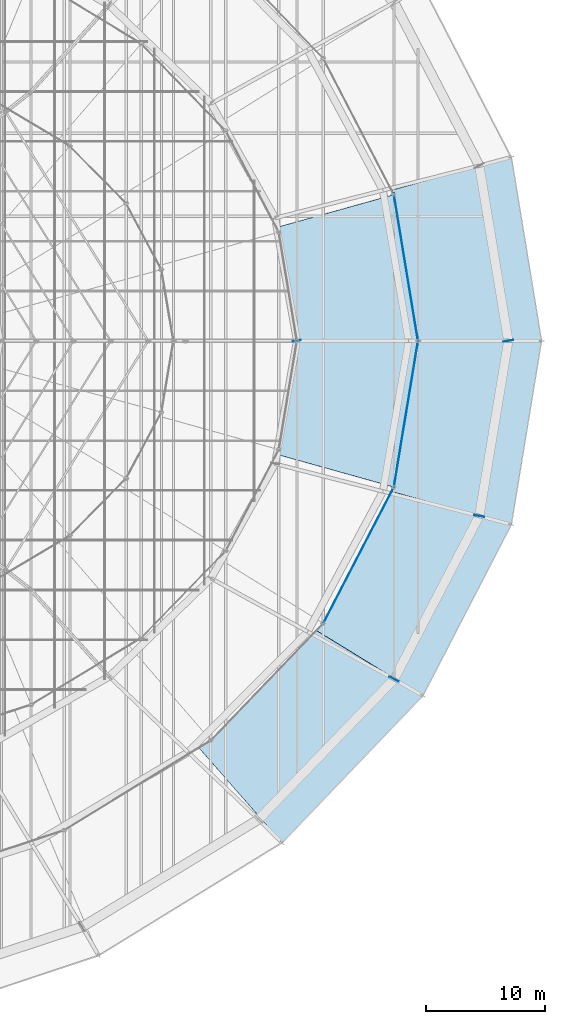
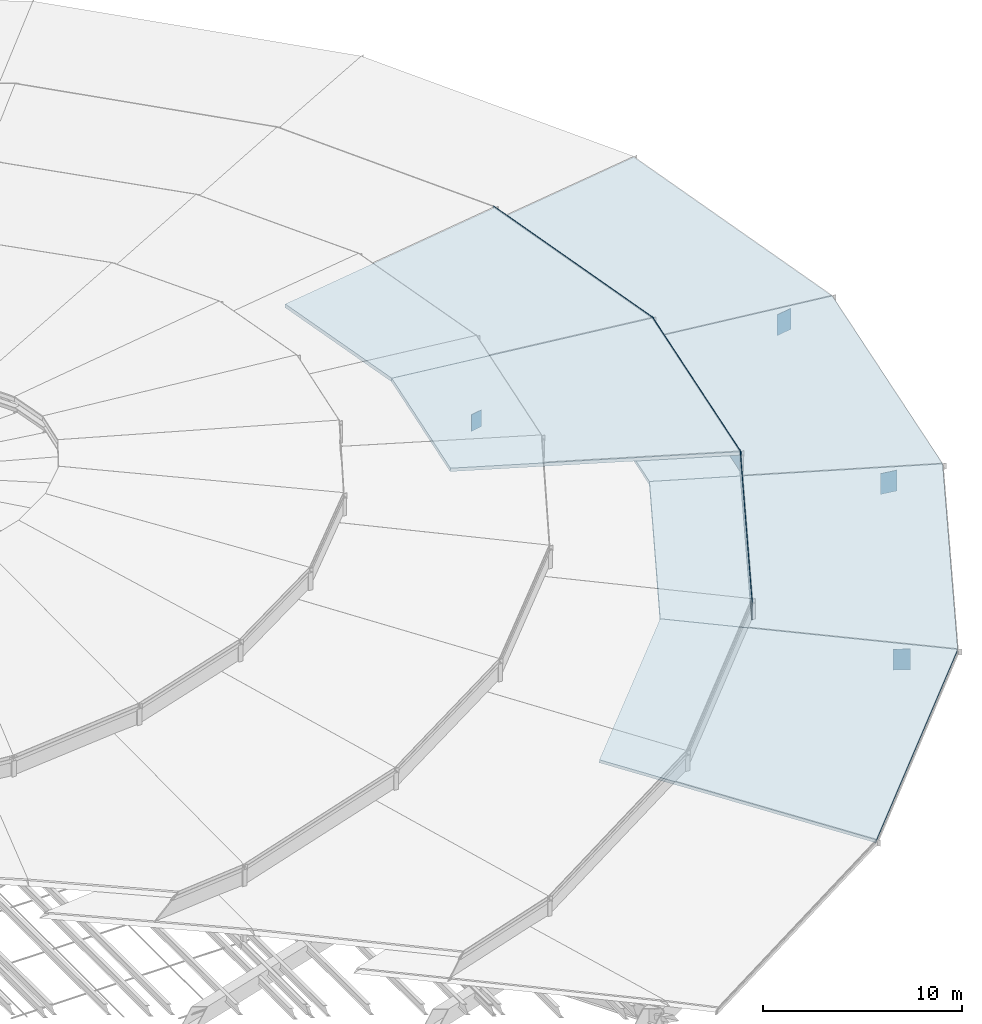
# One storey, part 156 of 184: 7 plates, 6 slabs.
"""IFC4 building model written with IfcOpenShell, lengths in metres."""

from ifc_helpers import new_model, si_unit, direction, frame, origin, origin_2d, place, context, subcontext, project, spatial, polyline, rectangle, outline, extrude, material, layer, layer_set, type_object, element, save


model = new_model("IFC4")

# Units and contexts
model_context = context("Model", 3, precision=1e-05, world=origin(), true_north=direction((0.0, 1.0)))
body_context = subcontext(model_context, "Body", "Model", "MODEL_VIEW")
ifc_project = project(units=[si_unit("LENGTHUNIT", "METRE"), si_unit("AREAUNIT", "SQUARE_METRE"), si_unit("VOLUMEUNIT", "CUBIC_METRE"), si_unit("PLANEANGLEUNIT", "RADIAN"), si_unit("MASSUNIT", "GRAM", prefix="KILO")], contexts=[model_context])

# Site, building, storey
site_placement = place(None, origin())
site = spatial("IfcSite", under=ifc_project, at=site_placement, CompositionType="ELEMENT")
building_placement = place(site_placement, origin())
building = spatial("IfcBuilding", under=site, at=building_placement, Name="Kalgoora Escarpment Arena", CompositionType="ELEMENT")
storey_placement = place(building_placement, frame((0.0, 0.0, 27.60009765625)))
storey = spatial("IfcBuildingStorey", under=building, at=storey_placement, Name="Roof Level", CompositionType="ELEMENT", Elevation=27.60009765625)

# Plates
ifc_material_1 = material(Name="Low-E double-glazed petal clerestory glass", Category="glass")
ifc_layer_1 = layer(ifc_material_1, 0.035888671875)
ifc_layer_set_1 = layer_set([ifc_layer_1], Name="PLT-PETAL-CLERESTORY")
plate_type_1 = type_object("IfcPlateType", Name="PLT-PETAL-CLERESTORY", PredefinedType="USERDEFINED", material=ifc_layer_set_1)
plate_1_placement = place(storey_placement, frame((155.584716796875, 70.159912109375, 0.260009765625), z_axis=(0.0, 0.0, 1.0), x_axis=(-0.162637165195, 0.986685944208, 0.0)))
element("IfcPlate", 1, at=plate_1_placement, inside=storey, type_object=plate_type_1, Name="Petal RP2 glazed clerestory collar panel S01", ObjectType="CLERESTORY PANEL", PredefinedType="USERDEFINED", context=body_context, shape_type="SweptSolid", body=[
    extrude(rectangle(XDim=12.67333984375, YDim=0.0400390625, at=origin_2d()), origin(), (0.0, 0.0, 1.0), 1.25),
])
plate_2_placement = place(storey_placement, frame((151.59228515625, 45.940185546875, 0.260009765625), z_axis=(0.0, 0.0, 1.0), x_axis=(0.46035473079, 0.8877350516, 0.0)))
element("IfcPlate", 2, at=plate_2_placement, inside=storey, type_object=plate_type_1, Name="Petal RP2 glazed clerestory collar panel S23", ObjectType="CLERESTORY PANEL", PredefinedType="USERDEFINED", context=body_context, shape_type="SweptSolid", body=[
    extrude(rectangle(XDim=13.12646484375, YDim=0.0400390625, at=origin_2d()), origin(), (0.0, 0.0, 1.0), 1.25),
])
plate_3_placement = place(storey_placement, frame((155.584716796875, 57.840087890625, 0.260009765625), z_axis=(0.0, 0.0, 1.0), x_axis=(0.162637165195, 0.986685944208, 0.0)))
element("IfcPlate", 3, at=plate_3_placement, inside=storey, type_object=plate_type_1, Name="Petal RP2 glazed clerestory collar panel S24", ObjectType="CLERESTORY PANEL", PredefinedType="USERDEFINED", context=body_context, shape_type="SweptSolid", body=[
    extrude(rectangle(XDim=12.67333984375, YDim=0.0400390625, at=origin_2d()), origin(), (0.0, 0.0, 1.0), 1.25),
])
ifc_material_2 = material(Name="Structural steel Grade 350 (350 MPa)", Category="steel")
ifc_layer_2 = layer(ifc_material_2, 0.031982421875)
ifc_layer_set_2 = layer_set([ifc_layer_2], Name="PLT-RING-DIAPH")
plate_type_2 = type_object("IfcPlateType", Name="PLT-RING-DIAPH", PredefinedType="USERDEFINED", material=ifc_layer_set_2)
plate_4_placement = place(storey_placement, frame((164.199951171875, 64.0, -2.09033203125), z_axis=(0.0, 0.0, 1.0), x_axis=(-0.163670330935, 0.986515089987, 0.0)))
element("IfcPlate", 4, at=plate_4_placement, inside=storey, type_object=plate_type_2, Name="Compression ring node diaphragm plate 01", ObjectType="FLANGE PLATE", PredefinedType="USERDEFINED", context=body_context, shape_type="SweptSolid", body=[
    extrude(rectangle(XDim=0.031982421875, YDim=0.8798828125, at=origin_2d()), origin(), (0.0, 0.0, 1.0), 1.280029296875),
])
plate_5_placement = place(storey_placement, frame((146.39990234375, 64.0, -1.760009765625), z_axis=(0.0, 0.0, 1.0), x_axis=(-0.175023058975, 0.984564334529, 0.0)))
element("IfcPlate", 5, at=plate_5_placement, inside=storey, type_object=plate_type_2, Name="Inner ring node diaphragm plate 01", ObjectType="FLANGE PLATE", PredefinedType="USERDEFINED", context=body_context, shape_type="SweptSolid", body=[
    extrude(rectangle(XDim=0.031982421875, YDim=0.679931640625, at=origin_2d()), origin(), (0.0, 0.0, 1.0), 1.02001953125),
])
for number, where, z_axis, x_axis, name in (
    (6, (154.58056640625, 35.5, -2.09033203125), (0.0, 0.0, 1.0), (0.462522500293, 0.8866075438, 0.0), "Compression ring node diaphragm plate 23"),
    (7, (161.75341796875, 49.247314453125, -2.09033203125), (0.0, 0.0, 1.0), (0.163670330935, 0.986515089987, 0.0), "Compression ring node diaphragm plate 24"),
):
    element("IfcPlate", number, at=place(storey_placement, frame(where, z_axis=z_axis, x_axis=x_axis)), inside=storey, type_object=plate_type_2, Name=name, ObjectType="FLANGE PLATE", PredefinedType="USERDEFINED", context=body_context, shape_type="SweptSolid", body=[
        extrude(rectangle(XDim=0.031982421875, YDim=0.8798828125, at=origin_2d()), origin(), (0.0, 0.0, 1.0), 1.280029296875),
    ])

# Slabs
ifc_material_3 = material(Name="White acoustic composite Concrete N40 (fc' 40 MPa)", Category="concrete")
ifc_layer_3 = layer(ifc_material_3, 0.179931640625)
ifc_layer_set_3 = layer_set([ifc_layer_3], Name="SLB-PETAL-RP1")
slab_type_1 = type_object("IfcSlabType", Name="SLB-PETAL-RP1", PredefinedType="ROOF", material=ifc_layer_set_3)
slab_1_placement = place(storey_placement, frame((167.0, 64.0, -0.840087890625), z_axis=(0.104058969601, 0.017097763959, 0.994424153625), x_axis=(-0.162069471263, 0.98677935043, -6.977133e-06)))
element("IfcSlab", 8, at=slab_1_placement, inside=storey, type_object=slab_type_1, Name="Shifted white roof petal RP1 sector 01", PredefinedType="ROOF", context=body_context, shape_type="SweptSolid", body=[
    extrude(outline(polyline([(0.0, 0.0), (15.684654359210414, 0.0), (14.072432195334443, 15.181256233722861), (2.4780373823482194, 15.172505981606566), (0.0, 0.0)])), origin(), (0.0, 0.0, -1.0), 0.179931640625),
])
slab_2_placement = place(storey_placement, frame((145.150146484375, 21.715087890625, -0.840087890625), z_axis=(0.078641817639, -0.075273294044, 0.994057038465), x_axis=(0.691494485293, 0.722381738965, -4.35605e-06)))
element("IfcSlab", 9, at=slab_2_placement, inside=storey, type_object=slab_type_1, Name="Shifted white roof petal RP1 sector 22", PredefinedType="ROOF", context=body_context, shape_type="SweptSolid", body=[
    extrude(outline(polyline([(0.0, 0.0), (17.144696152781734, -1.7763568394002505e-15), (13.984855474078781, 14.667771039758298), (1.2840797191663809, 14.69797447419558), (0.0, 0.0)])), origin(), (0.0, 0.0, -1.0), 0.179931640625),
])
slab_3_placement = place(storey_placement, frame((157.005615234375, 34.10009765625, -0.840087890625), z_axis=(0.094988543878, -0.049074203376, 0.99426802176), x_axis=(0.459054005674, 0.888408363212, -6.978866e-06)))
element("IfcSlab", 10, at=slab_3_placement, inside=storey, type_object=slab_type_1, Name="Shifted white roof petal RP1 sector 23", PredefinedType="ROOF", context=body_context, shape_type="SweptSolid", body=[
    extrude(outline(polyline([(0.0, 0.0), (16.234215717768194, 8.881784197001252e-16), (13.102644017555248, 14.941624019273862), (1.0912557091894806, 14.964898524361638), (0.0, 0.0)])), origin(), (0.0, 0.0, -1.0), 0.179931640625),
])
slab_4_placement = place(storey_placement, frame((164.4580078125, 48.522705078125, -0.840087890625), z_axis=(0.104005224773, -0.017079899484, 0.99443008314), x_axis=(0.162068543369, 0.986779502851, -1.891093e-06)))
element("IfcSlab", 11, at=slab_4_placement, inside=storey, type_object=slab_type_1, Name="Shifted white roof petal RP1 sector 24", PredefinedType="ROOF", context=body_context, shape_type="SweptSolid", body=[
    extrude(outline(polyline([(0.0, 0.0), (15.684654359568114, -4.440892098500626e-16), (13.206616976561008, 15.172403024332752), (1.612222164554604, 15.181179019216152), (0.0, 0.0)])), origin(), (0.0, 0.0, -1.0), 0.179931640625),
])
ifc_material_4 = material(Name="White acoustic composite Concrete N40 (fc' 40 MPa)", Category="concrete")
ifc_layer_4 = layer(ifc_material_4, 0.205078125)
ifc_layer_set_4 = layer_set([ifc_layer_4], Name="SLB-PETAL-RP2")
slab_type_2 = type_object("IfcSlabType", Name="SLB-PETAL-RP2", PredefinedType="ROOF", material=ifc_layer_set_4)
slab_5_placement = place(storey_placement, frame((156.60009765625, 64.0, 1.449951171875), z_axis=(0.105415443612, 0.017375877128, 0.994276452071), x_axis=(-0.162660893118, 0.986682032797, 2.518857e-06)))
element("IfcSlab", 12, at=slab_5_placement, inside=storey, type_object=slab_type_2, Name="Shifted white roof petal RP2 sector 01", PredefinedType="ROOF", context=body_context, shape_type="SweptSolid", body=[
    extrude(outline(polyline([(0.0, 0.0), (12.486114430867357, -2.220446049250313e-16), (10.851504289536596, 14.992613192347733), (2.4545712033181766, 14.97482434037493), (0.0, 0.0)])), origin(), (0.0, 0.0, -1.0), 0.205078125),
])
slab_6_placement = place(storey_placement, frame((154.569091796875, 51.68017578125, 1.449951171875), z_axis=(0.105294677374, -0.017367644364, 0.994289392403), x_axis=(0.162662106515, 0.986681832722, 8.936176e-06)))
element("IfcSlab", 13, at=slab_6_placement, inside=storey, type_object=slab_type_2, Name="Shifted white roof petal RP2 sector 24", PredefinedType="ROOF", context=body_context, shape_type="SweptSolid", body=[
    extrude(outline(polyline([(0.0, 0.0), (12.48611443040314, 2.220446049250313e-16), (10.031543227922137, 14.974641855113246), (1.634610140463099, 14.992404646490527), (0.0, 0.0)])), origin(), (0.0, 0.0, -1.0), 0.205078125),
])

save(model, "model.ifc")
